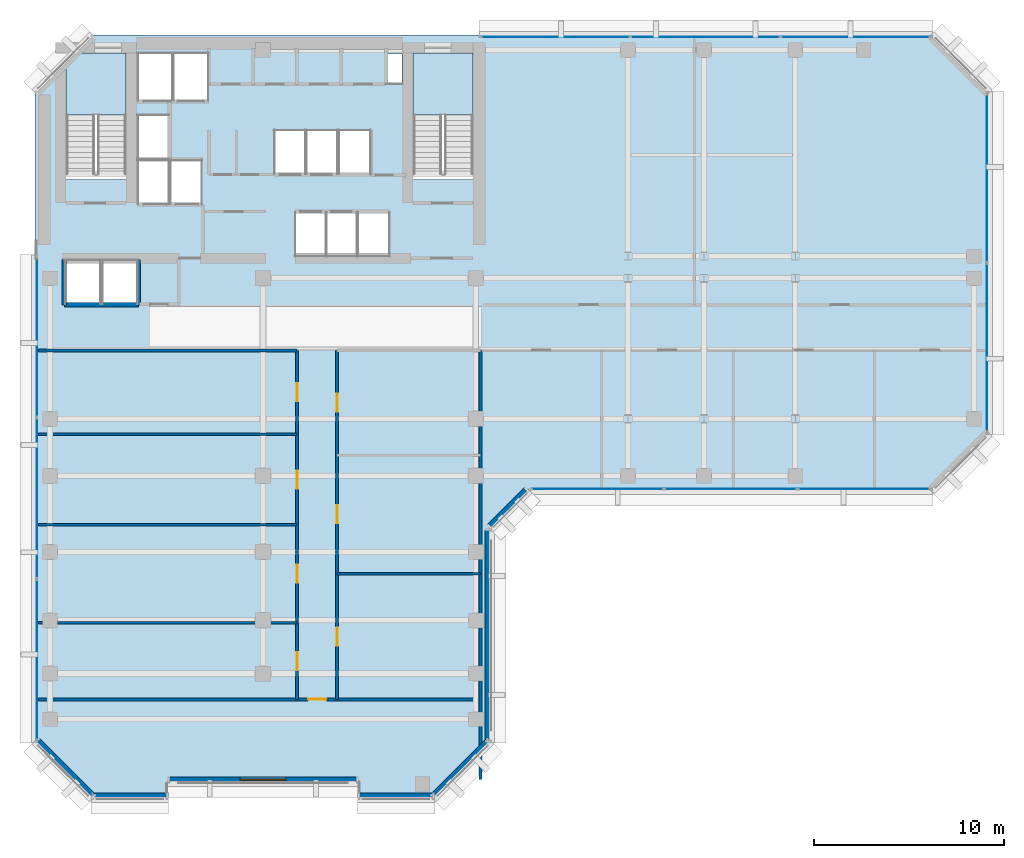
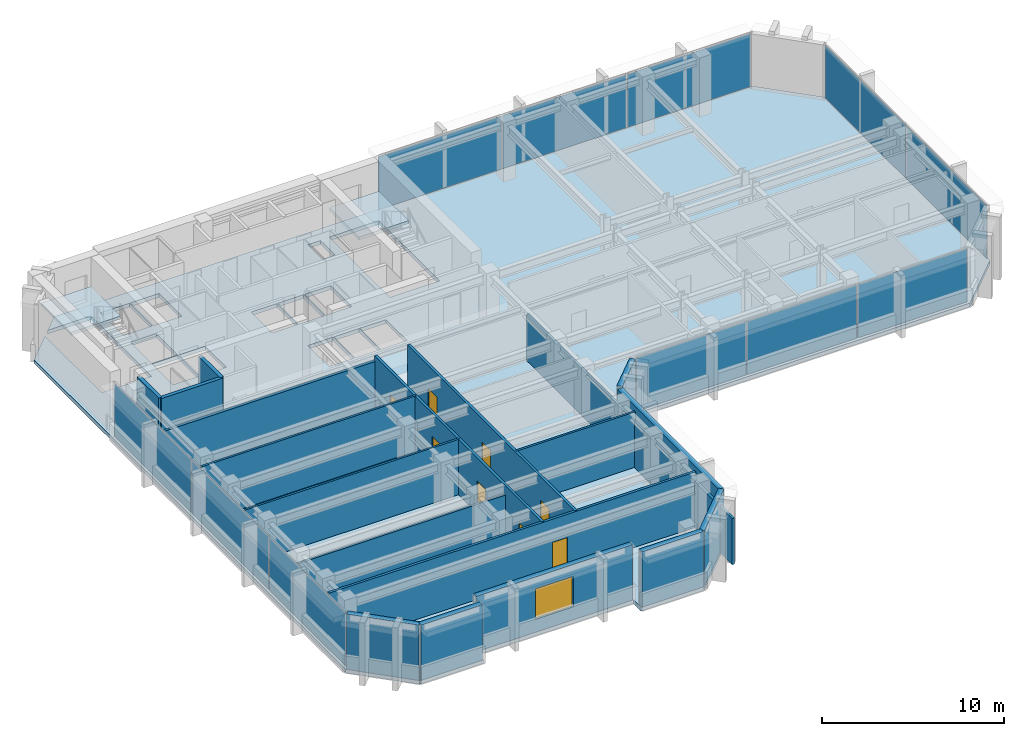
# One storey, part 6 of 12: 19 walls, 11 plates, 8 doors, 3 slabs, 1 window, 9 openings, 6 elements without a shape of their own.
"""IFC4 building model written with IfcOpenShell, lengths in metres."""

from ifc_helpers import new_model, si_unit, direction, frame, frame_2d, origin, origin_2d, place, context, subcontext, project, spatial, polyline, rectangle, outline, extrude, material, layer, layer_set, type_object, element, fill, aggregate, save


model = new_model("IFC4")

# Units and contexts
model_context = context("Model", 3, precision=1e-05, world=origin(), true_north=direction((0.0, 1.0)))
body_context = subcontext(model_context, "Body", "Model", "MODEL_VIEW")
ifc_project = project(units=[si_unit("LENGTHUNIT", "METRE"), si_unit("AREAUNIT", "SQUARE_METRE"), si_unit("VOLUMEUNIT", "CUBIC_METRE"), si_unit("PLANEANGLEUNIT", "RADIAN"), si_unit("MASSUNIT", "GRAM", prefix="KILO")], contexts=[model_context])

# Site, building, storey
site_placement = place(None, origin())
site = spatial("IfcSite", under=ifc_project, at=site_placement, CompositionType="ELEMENT")
building_placement = place(site_placement, origin())
building = spatial("IfcBuilding", under=site, at=building_placement, Name="Kefirva Bronze Tower", CompositionType="ELEMENT")
storey_placement = place(building_placement, frame((0.0, 0.0, 211.199951171875)))
storey = spatial("IfcBuildingStorey", under=building, at=storey_placement, Name="L51", CompositionType="ELEMENT", Elevation=211.199951171875)

# Stair, slab
ifc_material_1 = material(Name="Concrete C40/50", Category="concrete")
stair_type = type_object("IfcStairType", Name="RC Dogleg Protected Stair 24R", PredefinedType="HALF_TURN_STAIR", material=ifc_material_1)
stair_1_placement = place(storey_placement, origin())
stair_1 = element("IfcStair", 1, at=stair_1_placement, inside=storey, type_object=stair_type, Name="L51 Protected Exit Stair 1", PredefinedType="HALF_TURN_STAIR")
ifc_layer_1 = layer(ifc_material_1, 0.199951171875, Name="Concrete C40/50")
ifc_layer_set_1 = layer_set([ifc_layer_1], Name="Concrete C40/50")
slab_type_1 = type_object("IfcSlabType", Name="RC Stair Landing Slab 200mm", PredefinedType="LANDING", material=ifc_layer_set_1)
slab_1_placement = place(storey_placement, frame((0.0, 0.0, 1.780029296875)))
slab_1 = element("IfcSlab", 2, at=slab_1_placement, type_object=slab_type_1, Name="ST-1 landing 1", PredefinedType="LANDING", context=body_context, shape_type="SweptSolid", body=[
    extrude(outline(polyline([(4.800048828125, 41.780029296875), (4.800048828125, 45.050048828125), (1.64990234375, 45.050048828125), (1.64990234375, 41.780029296875), (4.800048828125, 41.780029296875)])), origin(), (0.0, 0.0, 1.0), 0.199951171875),
])
aggregate(stair_1, [slab_1])

stair_2_placement = place(storey_placement, origin())
stair_2 = element("IfcStair", 3, at=stair_2_placement, inside=storey, type_object=stair_type, Name="L51 Protected Exit Stair 2", PredefinedType="HALF_TURN_STAIR")
slab_2_placement = place(storey_placement, frame((0.0, 0.0, 1.780029296875)))
slab_2 = element("IfcSlab", 4, at=slab_2_placement, type_object=slab_type_1, Name="ST-2 landing 1", PredefinedType="LANDING", context=body_context, shape_type="SweptSolid", body=[
    extrude(outline(polyline([(23.050048828125, 41.780029296875), (23.050048828125, 45.050048828125), (19.89990234375, 45.050048828125), (19.89990234375, 41.780029296875), (23.050048828125, 41.780029296875)])), origin(), (0.0, 0.0, 1.0), 0.199951171875),
])
aggregate(stair_2, [slab_2])

# Slab
ifc_layer_2 = layer(ifc_material_1, 0.25, Name="Concrete C40/50")
ifc_layer_set_2 = layer_set([ifc_layer_2], Name="Concrete C40/50")
slab_type_2 = type_object("IfcSlabType", Name="RC Tower Floor Slab 250mm", PredefinedType="FLOOR", material=ifc_layer_set_2)
slab_3_placement = place(storey_placement, frame((0.0, 0.0, -0.25)))
element("IfcSlab", 5, at=slab_3_placement, inside=storey, type_object=slab_type_2, Name="L51 Structural Floor Slab", PredefinedType="FLOOR", context=body_context, shape_type="SweptSolid", body=[
    extrude(outline(polyline([(0.0, 8.800048828125), (0.0, 43.0), (1.64990234375, 44.64990234375), (1.64990234375, 38.39990234375), (4.800048828125, 38.39990234375), (4.800048828125, 45.050048828125), (2.050048828125, 45.050048828125), (3.0, 46.0), (47.199951171875, 46.0), (50.199951171875, 43.0), (50.199951171875, 25.0), (47.199951171875, 22.0), (26.0, 22.0), (24.0, 20.0), (24.0, 8.800048828125), (21.0, 5.800048828125), (17.0, 5.800048828125), (17.0, 6.64990234375), (7.0, 6.64990234375), (7.0, 5.800048828125), (3.0, 5.800048828125), (0.0, 8.800048828125)]), holes=[polyline([(23.050048828125, 38.39990234375), (23.050048828125, 45.050048828125), (19.89990234375, 45.050048828125), (19.89990234375, 38.39990234375), (23.050048828125, 38.39990234375)]), polyline([(19.320068359375, 43.419921875), (19.320068359375, 45.0), (18.52001953125, 45.0), (18.52001953125, 43.419921875), (19.320068359375, 43.419921875)]), polyline([(18.64990234375, 34.35009765625), (18.64990234375, 36.64990234375), (17.0, 36.64990234375), (17.0, 34.35009765625), (18.64990234375, 34.35009765625)]), polyline([(17.64990234375, 38.679931640625), (17.64990234375, 40.97998046875), (16.0, 40.97998046875), (16.0, 38.679931640625), (17.64990234375, 38.679931640625)]), polyline([(16.949951171875, 34.35009765625), (16.949951171875, 36.64990234375), (15.35009765625, 36.64990234375), (15.35009765625, 34.35009765625), (16.949951171875, 34.35009765625)]), polyline([(15.929931640625, 38.679931640625), (15.929931640625, 40.97998046875), (14.300048828125, 40.97998046875), (14.300048828125, 38.679931640625), (15.929931640625, 38.679931640625)]), polyline([(15.300048828125, 34.35009765625), (15.300048828125, 36.64990234375), (13.699951171875, 36.64990234375), (13.699951171875, 34.35009765625), (15.300048828125, 34.35009765625)]), polyline([(14.22998046875, 38.679931640625), (14.22998046875, 40.97998046875), (12.60009765625, 40.97998046875), (12.60009765625, 38.679931640625), (14.22998046875, 38.679931640625)]), polyline([(9.1201171875, 42.550048828125), (9.1201171875, 45.050048828125), (7.300048828125, 45.050048828125), (7.300048828125, 42.550048828125), (9.1201171875, 42.550048828125)]), polyline([(8.780029296875, 37.10009765625), (8.780029296875, 39.39990234375), (7.139892578125, 39.39990234375), (7.139892578125, 37.10009765625), (8.780029296875, 37.10009765625)]), polyline([(7.239990234375, 42.550048828125), (7.239990234375, 45.050048828125), (5.419921875, 45.050048828125), (5.419921875, 42.550048828125), (7.239990234375, 42.550048828125)]), polyline([(7.06005859375, 37.10009765625), (7.06005859375, 39.39990234375), (5.419921875, 39.39990234375), (5.419921875, 37.10009765625), (7.06005859375, 37.10009765625)]), polyline([(7.06005859375, 39.47998046875), (7.06005859375, 41.780029296875), (5.419921875, 41.780029296875), (5.419921875, 39.47998046875), (7.06005859375, 39.47998046875)]), polyline([(5.39990234375, 31.85009765625), (5.39990234375, 34.14990234375), (3.550048828125, 34.14990234375), (3.550048828125, 31.85009765625), (5.39990234375, 31.85009765625)]), polyline([(3.449951171875, 31.85009765625), (3.449951171875, 34.14990234375), (1.60009765625, 34.14990234375), (1.60009765625, 31.85009765625), (3.449951171875, 31.85009765625)])]), origin(), (0.0, 0.0, 1.0), 0.25),
])

# Curtain wall, plates
ifc_material_2 = material(Name="Bronze anodised aluminium", Category="aluminium")
ifc_layer_3 = layer(ifc_material_2, 0.179931640625, Name="Bronze anodised aluminium")
ifc_layer_set_3 = layer_set([ifc_layer_3], Name="Bronze anodised aluminium")
curtain_wall_type = type_object("IfcCurtainWallType", Name="Unitised Bronze Ribbon Curtain Wall Zone 3", PredefinedType="USERDEFINED", material=ifc_layer_set_3)
curtain_wall_1_placement = place(storey_placement, origin())
curtain_wall_1 = element("IfcCurtainWall", 6, at=curtain_wall_1_placement, inside=storey, type_object=curtain_wall_type, Name="L51 Curtain Wall 1", ObjectType="UNITISED CURTAIN WALL", PredefinedType="USERDEFINED")
ifc_material_3 = material(Name="Laminated low-E double glazing", Category="glass")
ifc_layer_4 = layer(ifc_material_3, 0.031982421875, Name="Laminated low-E double glazing")
ifc_layer_set_4 = layer_set([ifc_layer_4], Name="Laminated low-E double glazing")
plate_type = type_object("IfcPlateType", Name="Solar-Control Low-E Vision Panel 32mm", PredefinedType="CURTAIN_PANEL", material=ifc_layer_set_4)
plate_1_placement = place(storey_placement, frame((29.5888671875, 22.1201171875, 0.074951171875), z_axis=(0.0, 0.0, 1.0), x_axis=(1.0, 0.0, 0.0)))
plate_1 = element("IfcPlate", 7, at=plate_1_placement, type_object=plate_type, Name="CW-03 panel 1.1", PredefinedType="CURTAIN_PANEL", context=body_context, shape_type="SweptSolid", body=[
    extrude(rectangle(XDim=6.91748046875, YDim=0.031982421875, at=origin_2d()), origin(), (0.0, 0.0, 1.0), 3.56005859375),
])
plate_2_placement = place(storey_placement, frame((36.60009765625, 22.1201171875, 0.074951171875), z_axis=(0.0, 0.0, 1.0), x_axis=(1.0, 0.0, 0.0)))
plate_2 = element("IfcPlate", 8, at=plate_2_placement, type_object=plate_type, Name="CW-03 panel 2.1", PredefinedType="CURTAIN_PANEL", context=body_context, shape_type="SweptSolid", body=[
    extrude(rectangle(XDim=6.955078125, YDim=0.031982421875, at=origin_2d()), origin(), (0.0, 0.0, 1.0), 3.56005859375),
])
plate_3_placement = place(storey_placement, frame((43.611328125, 22.1201171875, 0.074951171875), z_axis=(0.0, 0.0, 1.0), x_axis=(1.0, 0.0, 0.0)))
plate_3 = element("IfcPlate", 9, at=plate_3_placement, type_object=plate_type, Name="CW-03 panel 3.1", PredefinedType="CURTAIN_PANEL", context=body_context, shape_type="SweptSolid", body=[
    extrude(rectangle(XDim=6.91748046875, YDim=0.031982421875, at=origin_2d()), origin(), (0.0, 0.0, 1.0), 3.56005859375),
])
aggregate(curtain_wall_1, [plate_1, plate_2, plate_3])

curtain_wall_2_placement = place(storey_placement, origin())
curtain_wall_2 = element("IfcCurtainWall", 10, at=curtain_wall_2_placement, inside=storey, type_object=curtain_wall_type, Name="L51 Curtain Wall 2", ObjectType="UNITISED CURTAIN WALL", PredefinedType="USERDEFINED")
plate_4_placement = place(storey_placement, frame((50.080078125, 29.546142578125, 0.074951171875), z_axis=(0.0, 0.0, 1.0), x_axis=(0.0, 1.0, 0.0)))
plate_4 = element("IfcPlate", 11, at=plate_4_placement, type_object=plate_type, Name="CW-03 panel 1.1", PredefinedType="CURTAIN_PANEL", context=body_context, shape_type="SweptSolid", body=[
    extrude(rectangle(XDim=8.83251953125, YDim=0.031982421875, at=origin_2d()), origin(), (0.0, 0.0, 1.0), 3.56005859375),
])
plate_5_placement = place(storey_placement, frame((50.080078125, 38.453857421875, 0.074951171875), z_axis=(0.0, 0.0, 1.0), x_axis=(0.0, 1.0, 0.0)))
plate_5 = element("IfcPlate", 12, at=plate_5_placement, type_object=plate_type, Name="CW-03 panel 2.1", PredefinedType="CURTAIN_PANEL", context=body_context, shape_type="SweptSolid", body=[
    extrude(rectangle(XDim=8.83251953125, YDim=0.031982421875, at=origin_2d()), origin(), (0.0, 0.0, 1.0), 3.56005859375),
])
aggregate(curtain_wall_2, [plate_4, plate_5])

curtain_wall_3_placement = place(storey_placement, origin())
curtain_wall_3 = element("IfcCurtainWall", 13, at=curtain_wall_3_placement, inside=storey, type_object=curtain_wall_type, Name="L51 Curtain Wall 3", ObjectType="UNITISED CURTAIN WALL", PredefinedType="USERDEFINED")
plate_6_placement = place(storey_placement, frame((43.169677734375, 45.8798828125, 0.074951171875), z_axis=(0.0, 0.0, 1.0), x_axis=(-1.0, 0.0, 0.0)))
plate_6 = element("IfcPlate", 14, at=plate_6_placement, type_object=plate_type, Name="CW-03 panel 1.1", PredefinedType="CURTAIN_PANEL", context=body_context, shape_type="SweptSolid", body=[
    extrude(rectangle(XDim=7.80078125, YDim=0.031982421875, at=origin_2d()), origin(), (0.0, 0.0, 1.0), 3.56005859375),
])
plate_7_placement = place(storey_placement, frame((35.27490234375, 45.8798828125, 0.074951171875), z_axis=(0.0, 0.0, 1.0), x_axis=(-1.0, 0.0, 0.0)))
plate_7 = element("IfcPlate", 15, at=plate_7_placement, type_object=plate_type, Name="CW-03 panel 2.1", PredefinedType="CURTAIN_PANEL", context=body_context, shape_type="SweptSolid", body=[
    extrude(rectangle(XDim=7.83837890625, YDim=0.031982421875, at=origin_2d()), origin(), (0.0, 0.0, 1.0), 3.56005859375),
])
plate_8_placement = place(storey_placement, frame((27.38037109375, 45.8798828125, 0.074951171875), z_axis=(0.0, 0.0, 1.0), x_axis=(-1.0, 0.0, 0.0)))
plate_8 = element("IfcPlate", 16, at=plate_8_placement, type_object=plate_type, Name="CW-03 panel 3.1", PredefinedType="CURTAIN_PANEL", context=body_context, shape_type="SweptSolid", body=[
    extrude(rectangle(XDim=7.80078125, YDim=0.031982421875, at=origin_2d()), origin(), (0.0, 0.0, 1.0), 3.56005859375),
])
aggregate(curtain_wall_3, [plate_6, plate_7, plate_8])

curtain_wall_4_placement = place(storey_placement, origin())
curtain_wall_4 = element("IfcCurtainWall", 17, at=curtain_wall_4_placement, inside=storey, type_object=curtain_wall_type, Name="L51 Curtain Wall 4", ObjectType="UNITISED CURTAIN WALL", PredefinedType="USERDEFINED")
plate_9_placement = place(storey_placement, frame((0.1201171875, 30.11962890625, 0.074951171875), z_axis=(0.0, 0.0, 1.0), x_axis=(0.0, -1.0, 0.0)))
plate_9 = element("IfcPlate", 18, at=plate_9_placement, type_object=plate_type, Name="CW-03 panel 1.1", PredefinedType="CURTAIN_PANEL", context=body_context, shape_type="SweptSolid", body=[
    extrude(rectangle(XDim=8.40087890625, YDim=0.031982421875, at=origin_2d()), origin(), (0.0, 0.0, 1.0), 3.56005859375),
])
plate_10_placement = place(storey_placement, frame((0.1201171875, 21.625, 0.074951171875), z_axis=(0.0, 0.0, 1.0), x_axis=(0.0, -1.0, 0.0)))
plate_10 = element("IfcPlate", 19, at=plate_10_placement, type_object=plate_type, Name="CW-03 panel 2.1", PredefinedType="CURTAIN_PANEL", context=body_context, shape_type="SweptSolid", body=[
    extrude(rectangle(XDim=8.438232421875, YDim=0.031982421875, at=origin_2d()), origin(), (0.0, 0.0, 1.0), 3.56005859375),
])
plate_11_placement = place(storey_placement, frame((0.1201171875, 13.13037109375, 0.074951171875), z_axis=(0.0, 0.0, 1.0), x_axis=(0.0, -1.0, 0.0)))
plate_11 = element("IfcPlate", 20, at=plate_11_placement, type_object=plate_type, Name="CW-03 panel 3.1", PredefinedType="CURTAIN_PANEL", context=body_context, shape_type="SweptSolid", body=[
    extrude(rectangle(XDim=8.40087890625, YDim=0.031982421875, at=origin_2d()), origin(), (0.0, 0.0, 1.0), 3.56005859375),
])
aggregate(curtain_wall_4, [plate_9, plate_10, plate_11])

# Walls
ifc_material_4 = material(Name="Gypsum acoustic partition")
ifc_layer_5 = layer(ifc_material_4, 0.1298828125, Name="Gypsum acoustic partition")
ifc_layer_set_5 = layer_set([ifc_layer_5], Name="Gypsum acoustic partition")
wall_type_1 = type_object("IfcWallType", Name="Acoustic Office Partition 130mm", PredefinedType="PARTITIONING", material=ifc_layer_set_5)
wall_1_placement = place(storey_placement, frame((0.18994140625, 15.0791015625, 0.0), z_axis=(0.0, 0.0, 1.0), x_axis=(1.0, 0.0, 0.0)))
element("IfcWall", 21, at=wall_1_placement, inside=storey, type_object=wall_type_1, Name="L51 Partition W-L51-SWD1", PredefinedType="PARTITIONING", context=body_context, shape_type="SweptSolid", body=[
    extrude(rectangle(XDim=13.610107421875, YDim=0.1298828125, at=frame_2d((6.80517578125, 0.0))), origin(), (0.0, 0.0, 1.0), 3.094970703125),
])
for number, where, z_axis, x_axis, name in (
    (22, (0.18994140625, 20.219970703125, 0.0), (0.0, 0.0, 1.0), (1.0, 0.0, 0.0), "L51 Partition W-L51-SWD2"),
    (23, (0.18994140625, 24.99365234375, 0.0), (0.0, 0.0, 1.0), (1.0, 0.0, 0.0), "L51 Partition W-L51-SWD3"),
):
    element("IfcWall", number, at=place(storey_placement, frame(where, z_axis=z_axis, x_axis=x_axis)), inside=storey, type_object=wall_type_1, Name=name, PredefinedType="PARTITIONING", context=body_context, shape_type="SweptSolid", body=[
        extrude(rectangle(XDim=13.610107421875, YDim=0.1298828125, at=frame_2d((6.80517578125, 0.0))), origin(), (0.0, 0.0, 1.0), 3.7099609375),
    ])
wall_2_placement = place(storey_placement, frame((15.89990234375, 17.649658203125, 0.0), z_axis=(0.0, 0.0, 1.0), x_axis=(1.0, 0.0, 0.0)))
element("IfcWall", 24, at=wall_2_placement, inside=storey, type_object=wall_type_1, Name="L51 Partition W-L51-SED1", PredefinedType="PARTITIONING", context=body_context, shape_type="SweptSolid", body=[
    extrude(rectangle(XDim=7.550048828125, YDim=0.1298828125, at=frame_2d((3.77490234375, 0.0))), origin(), (0.0, 0.0, 1.0), 3.7099609375),
])
ifc_material_5 = material(Name="Gypsum fireboard shaftwall")
ifc_layer_6 = layer(ifc_material_5, 0.219970703125, Name="Gypsum fireboard shaftwall")
ifc_layer_set_6 = layer_set([ifc_layer_6], Name="Gypsum fireboard shaftwall")
wall_type_2 = type_object("IfcWallType", Name="Fire-Rated Shaft Enclosure Wall 220mm", PredefinedType="PARTITIONING", material=ifc_layer_set_6)
wall_3_placement = place(storey_placement, frame((1.550048828125, 31.800048828125, 0.0), z_axis=(0.0, 0.0, 1.0), x_axis=(1.0, 0.0, 0.0)))
element("IfcWall", 25, at=wall_3_placement, inside=storey, type_object=wall_type_2, Name="L51 Partition W-L51-OBS", PredefinedType="PARTITIONING", context=body_context, shape_type="SweptSolid", body=[
    extrude(rectangle(XDim=3.89990234375, YDim=0.219970703125, at=frame_2d((1.949951171875, 0.0))), origin(), (0.0, 0.0, 1.0), 3.7099609375),
])
for number, where, z_axis, x_axis, name in (
    (26, (1.550048828125, 31.800048828125, 0.0), (0.0, 0.0, 1.0), (0.0, 1.0, 0.0), "L51 Partition W-L51-OBW"),
    (27, (5.449951171875, 31.800048828125, 0.0), (0.0, 0.0, 1.0), (0.0, 1.0, 0.0), "L51 Partition W-L51-OBE"),
):
    element("IfcWall", number, at=place(storey_placement, frame(where, z_axis=z_axis, x_axis=x_axis)), inside=storey, type_object=wall_type_2, Name=name, PredefinedType="PARTITIONING", context=body_context, shape_type="SweptSolid", body=[
        extrude(rectangle(XDim=2.3798828125, YDim=0.219970703125, at=frame_2d((1.18994140625, 0.0))), origin(), (0.0, 0.0, 1.0), 3.7099609375),
    ])
ifc_material_6 = material(Name="Precast concrete C40/50", Category="concrete")
ifc_layer_7 = layer(ifc_material_6, 0.320068359375, Name="Precast concrete C40/50")
ifc_layer_set_7 = layer_set([ifc_layer_7], Name="Precast concrete C40/50")
wall_type_3 = type_object("IfcWallType", Name="Precast Insulated Exterior Wall 320mm", PredefinedType="SOLIDWALL", material=ifc_layer_set_7)
wall_4_placement = place(storey_placement, frame((3.054931640625, 5.9599609375, 0.0), z_axis=(0.0, 0.0, 1.0), x_axis=(1.0, 0.0, 0.0)))
element("IfcWall", 28, at=wall_4_placement, inside=storey, type_object=wall_type_3, Name="L51 Exterior Facade Wall 1", PredefinedType="SOLIDWALL", context=body_context, shape_type="SweptSolid", body=[
    extrude(rectangle(XDim=3.89013671875, YDim=0.320068359375, at=frame_2d((1.945068359375, 0.0))), origin(), (0.0, 0.0, 1.0), 3.7099609375),
])

# Wall, opening, window
wall_5_placement = place(storey_placement, frame((7.054931640625, 6.81005859375, 0.0), z_axis=(0.0, 0.0, 1.0), x_axis=(1.0, 0.0, 0.0)))
wall_5 = element("IfcWall", 29, at=wall_5_placement, inside=storey, type_object=wall_type_3, Name="L51 Exterior Facade Wall 2", PredefinedType="SOLIDWALL", context=body_context, shape_type="SweptSolid", body=[
    extrude(rectangle(XDim=9.89013671875, YDim=0.320068359375, at=frame_2d((4.945068359375, 0.0))), origin(), (0.0, 0.0, 1.0), 3.7099609375),
])
opening_1_placement = place(wall_5_placement, frame((3.7451171875, 0.0, 0.85009765625)))
opening_1 = element("IfcOpeningElement", 30, at=opening_1_placement, cuts=wall_5, Name="Opening WN-01", PredefinedType="OPENING", context=body_context, shape_type="SweptSolid", body=[
    extrude(rectangle(XDim=2.39990234375, YDim=2.050048828125, at=frame_2d((1.199951171875, 1.02490234375))), frame((0.0, 0.169921875, 0.0), z_axis=(0.0, -1.0, 0.0), x_axis=(1.0, 0.0, 0.0)), (0.0, 0.0, 1.0), 0.340087890625),
])
window_type = type_object("IfcWindowType", Name="Streamline Ribbon Window 2400x2050", PartitioningType="SINGLE_PANEL", PredefinedType="WINDOW", material=ifc_material_3)
window_placement = place(opening_1_placement, origin())
window = element("IfcWindow", 31, at=window_placement, inside=storey, type_object=window_type, Name="L51 Ribbon Window 2", OverallHeight=2.050048828125, OverallWidth=2.39990234375, PartitioningType="SINGLE_PANEL", PredefinedType="WINDOW", context=body_context, shape_type="SweptSolid", body=[
    extrude(rectangle(XDim=2.39990234375, YDim=2.050048828125, at=frame_2d((1.199951171875, 1.02490234375))), frame((0.0, 0.030029296875, 0.0), z_axis=(0.0, -1.0, 0.0), x_axis=(1.0, 0.0, 0.0)), (0.0, 0.0, 1.0), 0.06005859375),
])
fill(opening_1, window)

# Walls
wall_6_placement = place(storey_placement, frame((17.054931640625, 5.9599609375, 0.0), z_axis=(0.0, 0.0, 1.0), x_axis=(1.0, 0.0, 0.0)))
element("IfcWall", 32, at=wall_6_placement, inside=storey, type_object=wall_type_3, Name="L51 Exterior Facade Wall 3", PredefinedType="SOLIDWALL", context=body_context, shape_type="SweptSolid", body=[
    extrude(rectangle(XDim=3.89013671875, YDim=0.320068359375, at=frame_2d((1.945068359375, 0.0))), origin(), (0.0, 0.0, 1.0), 3.7099609375),
])
wall_7_placement = place(storey_placement, frame((20.92578125, 5.951904296875, 0.0), z_axis=(0.0, 0.0, 1.0), x_axis=(0.707077242712, 0.707136318428, 0.0)))
element("IfcWall", 33, at=wall_7_placement, inside=storey, type_object=wall_type_3, Name="L51 Exterior Facade Wall 4", PredefinedType="SOLIDWALL", context=body_context, shape_type="SweptSolid", body=[
    extrude(rectangle(XDim=4.132568359375, YDim=0.320068359375, at=frame_2d((2.06640625, 0.0))), origin(), (0.0, 0.0, 1.0), 3.7099609375),
])
wall_8_placement = place(storey_placement, frame((23.840087890625, 8.85498046875, 0.0), z_axis=(0.0, 0.0, 1.0), x_axis=(0.0, 1.0, 0.0)))
element("IfcWall", 34, at=wall_8_placement, inside=storey, type_object=wall_type_3, Name="L51 Exterior Facade Wall 5", PredefinedType="SOLIDWALL", context=body_context, shape_type="SweptSolid", body=[
    extrude(rectangle(XDim=11.090087890625, YDim=0.320068359375, at=frame_2d((5.544921875, 0.0))), origin(), (0.0, 0.0, 1.0), 3.7099609375),
])
wall_9_placement = place(storey_placement, frame((23.92578125, 20.152099609375, 0.0), z_axis=(0.0, 0.0, 1.0), x_axis=(0.707106781187, 0.707106781187, 0.0)))
element("IfcWall", 35, at=wall_9_placement, inside=storey, type_object=wall_type_3, Name="L51 Exterior Facade Wall 6", PredefinedType="SOLIDWALL", context=body_context, shape_type="SweptSolid", body=[
    extrude(rectangle(XDim=2.71826171875, YDim=0.320068359375, at=frame_2d((1.359130859375, 0.0))), origin(), (0.0, 0.0, 1.0), 3.7099609375),
])
wall_10_placement = place(storey_placement, frame((0.152099609375, 8.874267578125, 0.0), z_axis=(0.0, 0.0, 1.0), x_axis=(0.707077242712, -0.707136318428, 0.0)))
element("IfcWall", 36, at=wall_10_placement, inside=storey, type_object=wall_type_3, Name="L51 Exterior Facade Wall 10", PredefinedType="SOLIDWALL", context=body_context, shape_type="SweptSolid", body=[
    extrude(rectangle(XDim=4.132568359375, YDim=0.320068359375, at=frame_2d((2.06640625, 0.0))), origin(), (0.0, 0.0, 1.0), 3.7099609375),
])

# Wall, openings, doors
ifc_layer_8 = layer(ifc_material_4, 0.159912109375, Name="Gypsum acoustic partition")
ifc_layer_set_8 = layer_set([ifc_layer_8], Name="Gypsum acoustic partition")
wall_type_4 = type_object("IfcWallType", Name="Protected Corridor Partition 160mm", PredefinedType="PARTITIONING", material=ifc_layer_set_8)
wall_11_placement = place(storey_placement, frame((13.800048828125, 11.0400390625, 0.0), z_axis=(0.0, 0.0, 1.0), x_axis=(0.0, 1.0, 0.0)))
wall_11 = element("IfcWall", 37, at=wall_11_placement, inside=storey, type_object=wall_type_4, Name="L51 Partition W-L51-SWCORW", PredefinedType="PARTITIONING", context=body_context, shape_type="SweptSolid", body=[
    extrude(rectangle(XDim=18.35986328125, YDim=0.159912109375, at=frame_2d((9.179931640625, 0.0))), origin(), (0.0, 0.0, 1.0), 3.7099609375),
])
opening_2_placement = place(wall_11_placement, frame((2.49462890625, 0.0, 0.0), z_axis=(0.0, 0.0, 1.0), x_axis=(-1.0, 0.0, 0.0)))
opening_2 = element("IfcOpeningElement", 38, at=opening_2_placement, cuts=wall_11, Name="Opening L51-D-SW1", PredefinedType="OPENING", context=body_context, shape_type="SweptSolid", body=[
    extrude(rectangle(XDim=0.949951171875, YDim=2.14990234375, at=frame_2d((0.47509765625, 1.074951171875))), frame((0.0, 0.08984375, 0.0), z_axis=(0.0, -1.0, 0.0), x_axis=(1.0, 0.0, 0.0)), (0.0, 0.0, 1.0), 0.179931640625),
])
opening_3_placement = place(wall_11_placement, frame((7.08447265625, 0.0, 0.0), z_axis=(0.0, 0.0, 1.0), x_axis=(-1.0, 0.0, 0.0)))
opening_3 = element("IfcOpeningElement", 39, at=opening_3_placement, cuts=wall_11, Name="Opening L51-D-SW2", PredefinedType="OPENING", context=body_context, shape_type="SweptSolid", body=[
    extrude(rectangle(XDim=0.949951171875, YDim=2.14990234375, at=frame_2d((0.47509765625, 1.074951171875))), frame((0.0, 0.08984375, 0.0), z_axis=(0.0, -1.0, 0.0), x_axis=(1.0, 0.0, 0.0)), (0.0, 0.0, 1.0), 0.179931640625),
])
opening_4_placement = place(wall_11_placement, frame((12.041748046875, 0.0, 0.0), z_axis=(0.0, 0.0, 1.0), x_axis=(-1.0, 0.0, 0.0)))
opening_4 = element("IfcOpeningElement", 40, at=opening_4_placement, cuts=wall_11, Name="Opening L51-D-SW3", PredefinedType="OPENING", context=body_context, shape_type="SweptSolid", body=[
    extrude(rectangle(XDim=0.949951171875, YDim=2.14990234375, at=frame_2d((0.47509765625, 1.074951171875))), frame((0.0, 0.08984375, 0.0), z_axis=(0.0, -1.0, 0.0), x_axis=(1.0, 0.0, 0.0)), (0.0, 0.0, 1.0), 0.179931640625),
])
opening_5_placement = place(wall_11_placement, frame((16.6318359375, 0.0, 0.0), z_axis=(0.0, 0.0, 1.0), x_axis=(-1.0, 0.0, 0.0)))
opening_5 = element("IfcOpeningElement", 41, at=opening_5_placement, cuts=wall_11, Name="Opening L51-D-SW4", PredefinedType="OPENING", context=body_context, shape_type="SweptSolid", body=[
    extrude(rectangle(XDim=0.949951171875, YDim=2.14990234375, at=frame_2d((0.47509765625, 1.074951171875))), frame((0.0, 0.08984375, 0.0), z_axis=(0.0, -1.0, 0.0), x_axis=(1.0, 0.0, 0.0)), (0.0, 0.0, 1.0), 0.179931640625),
])
ifc_material_7 = material(Name="Acoustic hardwood oak", Category="wood")
door_type = type_object("IfcDoorType", Name="Office & Meeting Room Door 950x2150", OperationType="NOTDEFINED", PredefinedType="DOOR", material=ifc_material_7)
door_1_placement = place(opening_2_placement, origin())
door_1 = element("IfcDoor", 42, at=door_1_placement, inside=storey, type_object=door_type, Name="Door L51-D-SW1", OperationType="SINGLE_SWING_LEFT", OverallHeight=2.14990234375, OverallWidth=0.949951171875, PredefinedType="DOOR", context=body_context, shape_type="SweptSolid", body=[
    extrude(rectangle(XDim=0.949951171875, YDim=2.14990234375, at=frame_2d((0.47509765625, 1.074951171875))), frame((0.0, 0.02490234375, 0.0), z_axis=(0.0, -1.0, 0.0), x_axis=(1.0, 0.0, 0.0)), (0.0, 0.0, 1.0), 0.050048828125),
])
fill(opening_2, door_1)
door_2_placement = place(opening_3_placement, origin())
door_2 = element("IfcDoor", 43, at=door_2_placement, inside=storey, type_object=door_type, Name="Door L51-D-SW2", OperationType="SINGLE_SWING_RIGHT", OverallHeight=2.14990234375, OverallWidth=0.949951171875, PredefinedType="DOOR", context=body_context, shape_type="SweptSolid", body=[
    extrude(rectangle(XDim=0.949951171875, YDim=2.14990234375, at=frame_2d((0.47509765625, 1.074951171875))), frame((0.0, 0.02490234375, 0.0), z_axis=(0.0, -1.0, 0.0), x_axis=(1.0, 0.0, 0.0)), (0.0, 0.0, 1.0), 0.050048828125),
])
fill(opening_3, door_2)
door_3_placement = place(opening_4_placement, origin())
door_3 = element("IfcDoor", 44, at=door_3_placement, inside=storey, type_object=door_type, Name="Door L51-D-SW3", OperationType="SINGLE_SWING_LEFT", OverallHeight=2.14990234375, OverallWidth=0.949951171875, PredefinedType="DOOR", context=body_context, shape_type="SweptSolid", body=[
    extrude(rectangle(XDim=0.949951171875, YDim=2.14990234375, at=frame_2d((0.47509765625, 1.074951171875))), frame((0.0, 0.02490234375, 0.0), z_axis=(0.0, -1.0, 0.0), x_axis=(1.0, 0.0, 0.0)), (0.0, 0.0, 1.0), 0.050048828125),
])
fill(opening_4, door_3)
door_4_placement = place(opening_5_placement, origin())
door_4 = element("IfcDoor", 45, at=door_4_placement, inside=storey, type_object=door_type, Name="Door L51-D-SW4", OperationType="SINGLE_SWING_RIGHT", OverallHeight=2.14990234375, OverallWidth=0.949951171875, PredefinedType="DOOR", context=body_context, shape_type="SweptSolid", body=[
    extrude(rectangle(XDim=0.949951171875, YDim=2.14990234375, at=frame_2d((0.47509765625, 1.074951171875))), frame((0.0, 0.02490234375, 0.0), z_axis=(0.0, -1.0, 0.0), x_axis=(1.0, 0.0, 0.0)), (0.0, 0.0, 1.0), 0.050048828125),
])
fill(opening_5, door_4)

wall_12_placement = place(storey_placement, frame((15.89990234375, 11.0400390625, 0.0), z_axis=(0.0, 0.0, 1.0), x_axis=(0.0, 1.0, 0.0)))
wall_12 = element("IfcWall", 46, at=wall_12_placement, inside=storey, type_object=wall_type_4, Name="L51 Partition W-L51-SECORE", PredefinedType="PARTITIONING", context=body_context, shape_type="SweptSolid", body=[
    extrude(rectangle(XDim=18.35986328125, YDim=0.159912109375, at=frame_2d((9.179931640625, 0.0))), origin(), (0.0, 0.0, 1.0), 3.7099609375),
])
opening_6_placement = place(wall_12_placement, frame((2.829833984375, 0.0, 0.0)))
opening_6 = element("IfcOpeningElement", 47, at=opening_6_placement, cuts=wall_12, Name="Opening L51-D-SE1", PredefinedType="OPENING", context=body_context, shape_type="SweptSolid", body=[
    extrude(rectangle(XDim=0.949951171875, YDim=2.14990234375, at=frame_2d((0.47509765625, 1.074951171875))), frame((0.0, 0.08984375, 0.0), z_axis=(0.0, -1.0, 0.0), x_axis=(1.0, 0.0, 0.0)), (0.0, 0.0, 1.0), 0.179931640625),
])
opening_7_placement = place(wall_12_placement, frame((9.255859375, 0.0, 0.0)))
opening_7 = element("IfcOpeningElement", 48, at=opening_7_placement, cuts=wall_12, Name="Opening L51-D-SE2", PredefinedType="OPENING", context=body_context, shape_type="SweptSolid", body=[
    extrude(rectangle(XDim=0.949951171875, YDim=2.14990234375, at=frame_2d((0.47509765625, 1.074951171875))), frame((0.0, 0.08984375, 0.0), z_axis=(0.0, -1.0, 0.0), x_axis=(1.0, 0.0, 0.0)), (0.0, 0.0, 1.0), 0.179931640625),
])
opening_8_placement = place(wall_12_placement, frame((15.131103515625, 0.0, 0.0)))
opening_8 = element("IfcOpeningElement", 49, at=opening_8_placement, cuts=wall_12, Name="Opening L51-D-SE3", PredefinedType="OPENING", context=body_context, shape_type="SweptSolid", body=[
    extrude(rectangle(XDim=0.949951171875, YDim=2.14990234375, at=frame_2d((0.47509765625, 1.074951171875))), frame((0.0, 0.08984375, 0.0), z_axis=(0.0, -1.0, 0.0), x_axis=(1.0, 0.0, 0.0)), (0.0, 0.0, 1.0), 0.179931640625),
])
door_5_placement = place(opening_6_placement, origin())
door_5 = element("IfcDoor", 50, at=door_5_placement, inside=storey, type_object=door_type, Name="Door L51-D-SE1", OperationType="SINGLE_SWING_LEFT", OverallHeight=2.14990234375, OverallWidth=0.949951171875, PredefinedType="DOOR", context=body_context, shape_type="SweptSolid", body=[
    extrude(rectangle(XDim=0.949951171875, YDim=2.14990234375, at=frame_2d((0.47509765625, 1.074951171875))), frame((0.0, 0.02490234375, 0.0), z_axis=(0.0, -1.0, 0.0), x_axis=(1.0, 0.0, 0.0)), (0.0, 0.0, 1.0), 0.050048828125),
])
fill(opening_6, door_5)
door_6_placement = place(opening_7_placement, origin())
door_6 = element("IfcDoor", 51, at=door_6_placement, inside=storey, type_object=door_type, Name="Door L51-D-SE2", OperationType="SINGLE_SWING_RIGHT", OverallHeight=2.14990234375, OverallWidth=0.949951171875, PredefinedType="DOOR", context=body_context, shape_type="SweptSolid", body=[
    extrude(rectangle(XDim=0.949951171875, YDim=2.14990234375, at=frame_2d((0.47509765625, 1.074951171875))), frame((0.0, 0.02490234375, 0.0), z_axis=(0.0, -1.0, 0.0), x_axis=(1.0, 0.0, 0.0)), (0.0, 0.0, 1.0), 0.050048828125),
])
fill(opening_7, door_6)
door_7_placement = place(opening_8_placement, origin())
door_7 = element("IfcDoor", 52, at=door_7_placement, inside=storey, type_object=door_type, Name="Door L51-D-SE3", OperationType="SINGLE_SWING_LEFT", OverallHeight=2.14990234375, OverallWidth=0.949951171875, PredefinedType="DOOR", context=body_context, shape_type="SweptSolid", body=[
    extrude(rectangle(XDim=0.949951171875, YDim=2.14990234375, at=frame_2d((0.47509765625, 1.074951171875))), frame((0.0, 0.02490234375, 0.0), z_axis=(0.0, -1.0, 0.0), x_axis=(1.0, 0.0, 0.0)), (0.0, 0.0, 1.0), 0.050048828125),
])
fill(opening_8, door_7)

# Wall, opening, door
wall_13_placement = place(storey_placement, frame((0.18994140625, 11.0400390625, 0.0), z_axis=(0.0, 0.0, 1.0), x_axis=(1.0, 0.0, 0.0)))
wall_13 = element("IfcWall", 53, at=wall_13_placement, inside=storey, type_object=wall_type_4, Name="L51 Partition W-L51-SBEND", PredefinedType="PARTITIONING", context=body_context, shape_type="SweptSolid", body=[
    extrude(rectangle(XDim=23.260009765625, YDim=0.159912109375, at=frame_2d((11.6298828125, 0.0))), origin(), (0.0, 0.0, 1.0), 3.7099609375),
])
opening_9_placement = place(wall_13_placement, frame((14.18994140625, 0.0, 0.0)))
opening_9 = element("IfcOpeningElement", 54, at=opening_9_placement, cuts=wall_13, Name="Opening L51-D-SEND1", PredefinedType="OPENING", context=body_context, shape_type="SweptSolid", body=[
    extrude(rectangle(XDim=0.949951171875, YDim=2.14990234375, at=frame_2d((0.47509765625, 1.074951171875))), frame((0.0, 0.08984375, 0.0), z_axis=(0.0, -1.0, 0.0), x_axis=(1.0, 0.0, 0.0)), (0.0, 0.0, 1.0), 0.179931640625),
])
door_8_placement = place(opening_9_placement, origin())
door_8 = element("IfcDoor", 55, at=door_8_placement, inside=storey, type_object=door_type, Name="Door L51-D-SEND1", OperationType="SINGLE_SWING_RIGHT", OverallHeight=2.14990234375, OverallWidth=0.949951171875, PredefinedType="DOOR", context=body_context, shape_type="SweptSolid", body=[
    extrude(rectangle(XDim=0.949951171875, YDim=2.14990234375, at=frame_2d((0.47509765625, 1.074951171875))), frame((0.0, 0.02490234375, 0.0), z_axis=(0.0, -1.0, 0.0), x_axis=(1.0, 0.0, 0.0)), (0.0, 0.0, 1.0), 0.050048828125),
])
fill(opening_9, door_8)

# Walls
wall_14_placement = place(storey_placement, frame((0.18994140625, 29.39990234375, 0.0), z_axis=(0.0, 0.0, 1.0), x_axis=(1.0, 0.0, 0.0)))
element("IfcWall", 56, at=wall_14_placement, inside=storey, type_object=wall_type_4, Name="L51 Partition W-L51-NWT", PredefinedType="PARTITIONING", context=body_context, shape_type="SweptSolid", body=[
    extrude(rectangle(XDim=13.610107421875, YDim=0.159912109375, at=frame_2d((6.80517578125, 0.0))), origin(), (0.0, 0.0, 1.0), 3.364990234375),
])
wall_15_placement = place(storey_placement, frame((23.449951171875, 6.840087890625, 0.0), z_axis=(0.0, 0.0, 1.0), x_axis=(0.0, 1.0, 0.0)))
element("IfcWall", 57, at=wall_15_placement, inside=storey, type_object=wall_type_4, Name="L51 Partition W-L51-SWEAST", PredefinedType="PARTITIONING", context=body_context, shape_type="SweptSolid", body=[
    extrude(rectangle(XDim=22.559814453125, YDim=0.159912109375, at=frame_2d((11.27978515625, 0.0))), origin(), (0.0, 0.0, 1.0), 3.094970703125),
])

save(model, "model.ifc")
